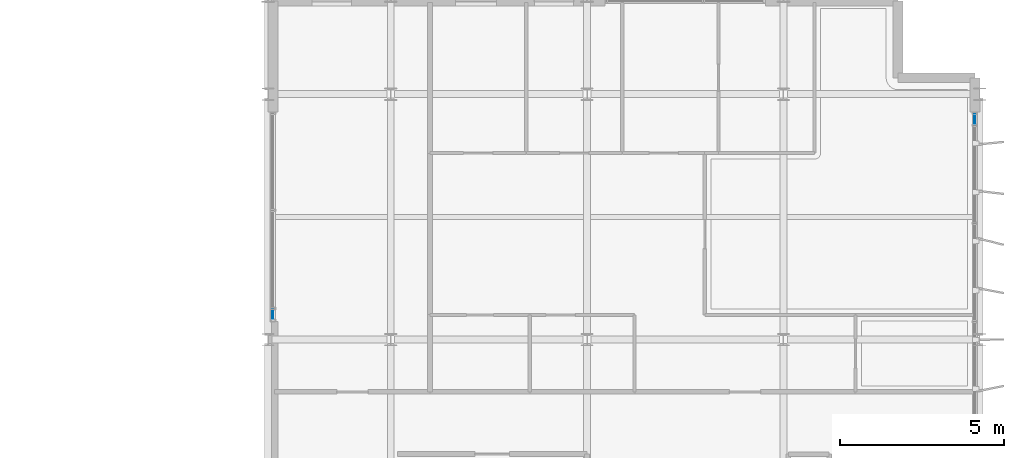
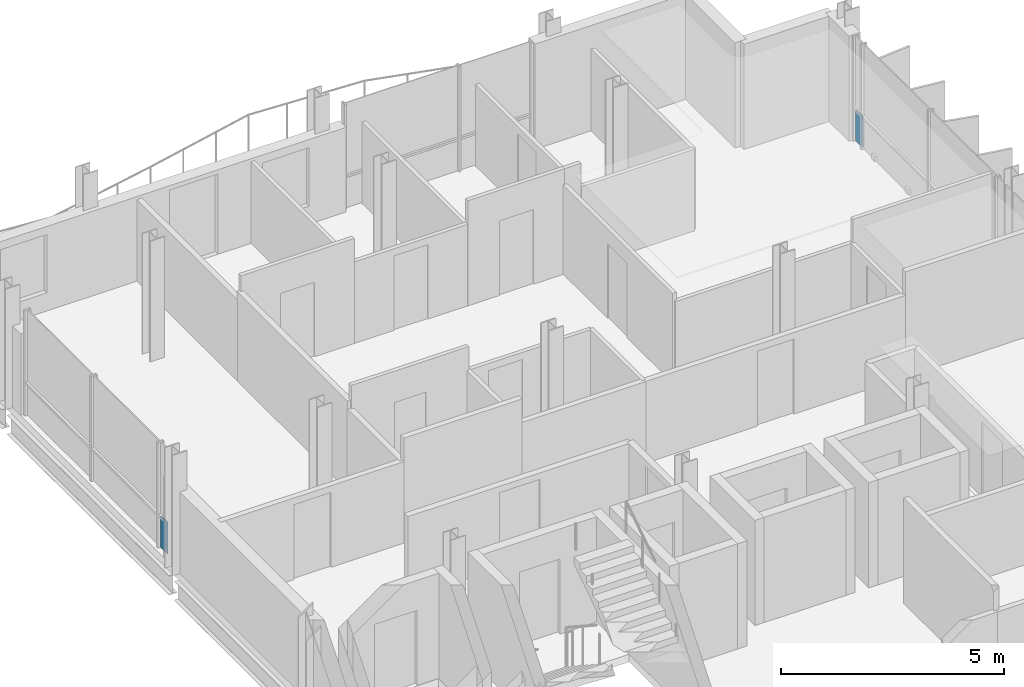
# One storey, part 21 of 30: 2 plates, 2 elements without a shape of their own.
"""IFC4 building model written with IfcOpenShell, lengths in metres."""

from ifc_helpers import new_model, si_unit, direction, frame, origin, origin_2d, place, context, subcontext, project, spatial, rectangle, extrude, material, layer, layer_set, type_object, element, aggregate, save


model = new_model("IFC4")

# Units and contexts
model_context = context("Model", 3, precision=1e-05, world=origin(), true_north=direction((0.0, 1.0)))
body_context = subcontext(model_context, "Body", "Model", "MODEL_VIEW")
ifc_project = project(units=[si_unit("LENGTHUNIT", "METRE"), si_unit("AREAUNIT", "SQUARE_METRE"), si_unit("VOLUMEUNIT", "CUBIC_METRE"), si_unit("PLANEANGLEUNIT", "RADIAN"), si_unit("MASSUNIT", "GRAM", prefix="KILO")], contexts=[model_context])

# Site, building, storey
site_placement = place(None, origin())
site = spatial("IfcSite", under=ifc_project, at=site_placement, CompositionType="ELEMENT")
building_placement = place(site_placement, origin())
building = spatial("IfcBuilding", under=site, at=building_placement, Name="Brevholm Reach", CompositionType="ELEMENT")
storey_placement = place(building_placement, frame((0.0, 0.0, 211.10009765625)))
storey = spatial("IfcBuildingStorey", under=building, at=storey_placement, Name="L64", CompositionType="ELEMENT", Elevation=211.10009765625)

# Curtain wall, plate
ifc_material_1 = material(Name="Dark Anodised Aluminium 6063-T6 and Solar-Control Glass", Category="aluminium")
ifc_layer_1 = layer(ifc_material_1, 0.1650390625)
ifc_layer_set_1 = layer_set([ifc_layer_1], Name="Dark Anodised Aluminium 6063-T6 and Solar-Control Glass")
curtain_wall_type_1 = type_object("IfcCurtainWallType", Name="CW-04", PredefinedType="NOTDEFINED", material=ifc_layer_set_1)
curtain_wall_1_placement = place(storey_placement, origin())
curtain_wall_1 = element("IfcCurtainWall", 1, at=curtain_wall_1_placement, inside=storey, type_object=curtain_wall_type_1, Name="L64 Curtain Wall CW-04", PredefinedType="NOTDEFINED")
ifc_material_2 = material(Name="Dark Solar-Control Double-Glazed IGU Glass", Category="glass")
ifc_layer_2 = layer(ifc_material_2, 0.028076171875)
ifc_layer_set_2 = layer_set([ifc_layer_2], Name="Dark Solar-Control Double-Glazed IGU Glass")
plate_type = type_object("IfcPlateType", Name="CWP-GLZ-28", PredefinedType="CURTAIN_PANEL", material=ifc_layer_set_2)
plate_1_placement = place(storey_placement, frame((38.39990234375, 16.767578125, 0.0), z_axis=(0.0, 0.0, 1.0), x_axis=(0.0, -1.0, 0.0)))
plate_1 = element("IfcPlate", 2, at=plate_1_placement, type_object=plate_type, Name="CP-01 Glazing Panel 3.1", PredefinedType="CURTAIN_PANEL", context=body_context, shape_type="SweptSolid", body=[
    extrude(rectangle(XDim=0.294921875, YDim=0.028076171875, at=origin_2d()), origin(), (0.0, 0.0, 1.0), 0.864990234375),
])
aggregate(curtain_wall_1, [plate_1])

ifc_material_3 = material(Name="Dark Anodised Aluminium 6063-T6 and Solar-Control Glass", Category="aluminium")
ifc_layer_3 = layer(ifc_material_3, 0.14990234375)
ifc_layer_set_3 = layer_set([ifc_layer_3], Name="Dark Anodised Aluminium 6063-T6 and Solar-Control Glass")
curtain_wall_type_2 = type_object("IfcCurtainWallType", Name="CW-01", PredefinedType="NOTDEFINED", material=ifc_layer_set_3)
curtain_wall_2_placement = place(storey_placement, origin())
curtain_wall_2 = element("IfcCurtainWall", 3, at=curtain_wall_2_placement, inside=storey, type_object=curtain_wall_type_2, Name="L64 Curtain Wall CW-01", PredefinedType="NOTDEFINED")
plate_2_placement = place(storey_placement, frame((59.85009765625, 22.733642578125, 0.0), z_axis=(0.0, 0.0, 1.0), x_axis=(0.0, 1.0, 0.0)))
plate_2 = element("IfcPlate", 4, at=plate_2_placement, type_object=plate_type, Name="CP-01 Glazing Panel 5.1", PredefinedType="CURTAIN_PANEL", context=body_context, shape_type="SweptSolid", body=[
    extrude(rectangle(XDim=0.302490234375, YDim=0.028076171875, at=origin_2d()), origin(), (0.0, 0.0, 1.0), 0.867431640625),
])
aggregate(curtain_wall_2, [plate_2])

save(model, "model.ifc")
